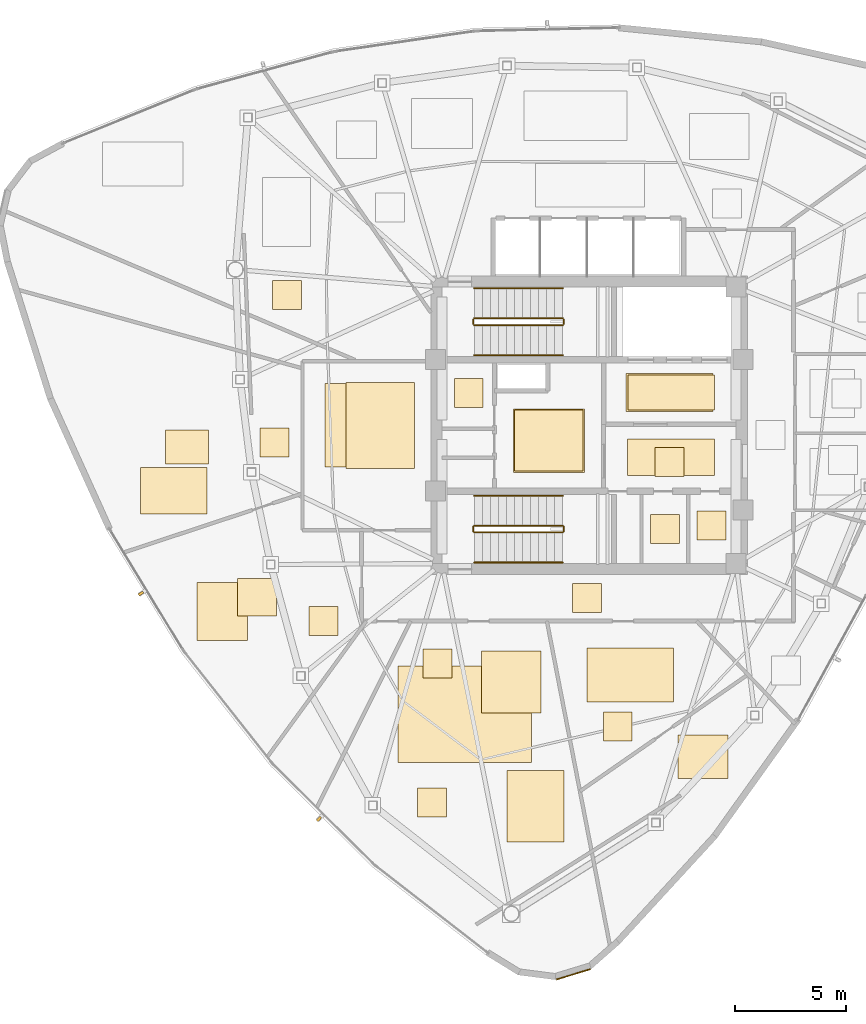
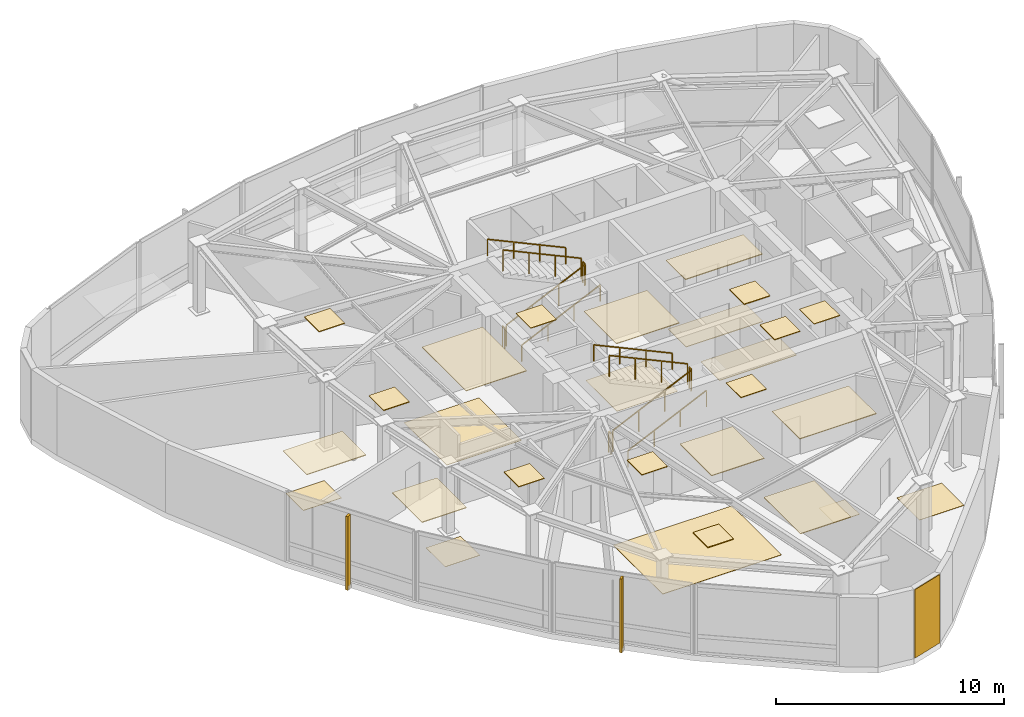
# One storey, part 11 of 12: 28 coverings, 12 railings, 2 shading devices.
"""IFC4 building model written with IfcOpenShell, lengths in metres."""

from ifc_helpers import new_model, si_unit, direction, frame, origin, origin_2d, place, context, subcontext, project, spatial, polyline, rectangle, outline, extrude, source, transform, mapped, material, layer, layer_set, type_object, type_shapes, element, save


model = new_model("IFC4")

# Units and contexts
model_context = context("Model", 3, precision=1e-05, world=origin(), true_north=direction((0.0, 1.0)))
body_context = subcontext(model_context, "Body", "Model", "MODEL_VIEW")
ifc_project = project(units=[si_unit("LENGTHUNIT", "METRE"), si_unit("AREAUNIT", "SQUARE_METRE"), si_unit("VOLUMEUNIT", "CUBIC_METRE"), si_unit("PLANEANGLEUNIT", "RADIAN"), si_unit("MASSUNIT", "GRAM", prefix="KILO")], contexts=[model_context])

# Site, building, storey
site_placement = place(None, origin())
site = spatial("IfcSite", under=ifc_project, at=site_placement, CompositionType="ELEMENT")
building_placement = place(site_placement, origin())
building = spatial("IfcBuilding", under=site, at=building_placement, Name="Tavelor Broadcast Tower", CompositionType="ELEMENT")
storey_placement = place(building_placement, frame((0.0, 0.0, 317.5)))
storey = spatial("IfcBuildingStorey", under=building, at=storey_placement, Name="L76", CompositionType="ELEMENT", Elevation=317.5)

# Coverings
ifc_material_1 = material(Name="Copper-Bronze Anodized Aluminium", Category="aluminium")
ifc_layer_1 = layer(ifc_material_1, 0.044921875)
ifc_layer_set_1 = layer_set([ifc_layer_1], Name="Copper-Bronze Anodized Aluminium")
covering_type_1 = type_object("IfcCoveringType", Name="Anodised Bronze Linear Slatted Concourse Ceiling 45 mm", PredefinedType="CEILING", material=ifc_layer_set_1)
covering_1_placement = place(storey_placement, frame((0.0, 0.0, 3.655029296875)))
element("IfcCovering", 1, at=covering_1_placement, inside=storey, type_object=covering_type_1, Name="L76 Suspended Acoustic Ceiling 2850", PredefinedType="CEILING", context=body_context, shape_type="SweptSolid", body=[
    extrude(outline(polyline([(51.659912109375, 45.6318359375), (55.55712890625, 45.6318359375), (55.55712890625, 47.328125), (51.659912109375, 47.328125), (51.659912109375, 45.6318359375)])), origin(), (0.0, 0.0, 1.0), 0.044921875),
])
covering_2_placement = place(storey_placement, frame((0.0, 0.0, 3.655029296875)))
element("IfcCovering", 2, at=covering_2_placement, inside=storey, type_object=covering_type_1, Name="L76 Suspended Acoustic Ceiling 2851", PredefinedType="CEILING", context=body_context, shape_type="SweptSolid", body=[
    extrude(outline(polyline([(52.95361328125, 42.705078125), (54.25341796875, 42.705078125), (54.25341796875, 44.0048828125), (52.95361328125, 44.0048828125), (52.95361328125, 42.705078125)])), origin(), (0.0, 0.0, 1.0), 0.044921875),
])
ifc_layer_2 = layer(ifc_material_1, 0.050048828125)
ifc_layer_set_2 = layer_set([ifc_layer_2], Name="Copper-Bronze Anodized Aluminium")
covering_type_2 = type_object("IfcCoveringType", Name="Champagne-Bronze Corner Pier Metal Cladding 50 mm", PredefinedType="CLADDING", material=ifc_layer_set_2)
covering_3_placement = place(storey_placement, frame((49.298583984375, 20.37451171875, 0.02001953125), z_axis=(0.0, 0.0, 1.0), x_axis=(0.956559534241, 0.29153706017, 0.0)))
element("IfcCovering", 3, at=covering_3_placement, inside=storey, type_object=covering_type_2, Name="L76 Champagne-Bronze Corner Cladding 13", PredefinedType="CLADDING", context=body_context, shape_type="SweptSolid", body=[
    extrude(rectangle(XDim=1.593505859375, YDim=0.050048828125, at=origin_2d()), origin(), (0.0, 0.0, 1.0), 3.659912109375),
])

# Railings
ifc_material_2 = material(Name="Steel S355", Category="steel")
railing_type_1 = type_object("IfcRailingType", Name="Continuous Brushed Stainless Handrail 900 mm", PredefinedType="HANDRAIL", material=ifc_material_2)
railing_1_placement = place(storey_placement, frame((44.85009765625, 48.14990234375, 0.166748046875)))
element("IfcRailing", 4, at=railing_1_placement, inside=storey, type_object=railing_type_1, Name="L76 ST1 stair handrail 1", PredefinedType="HANDRAIL", context=body_context, shape_type="SweptSolid", body=[
    extrude(rectangle(XDim=0.048095703125, YDim=0.048095703125, at=origin_2d()), frame((0.0, 0.0, 0.8759765625), z_axis=(0.907472437036, 0.0, 0.420111623286), x_axis=(0.0, 1.0, 0.0)), (0.0, 0.0, 1.0), 4.36376953125),
    extrude(rectangle(XDim=0.0419921875, YDim=0.0419921875, at=origin_2d()), origin(), (0.0, 0.0, 1.0), 0.851806640625),
    extrude(rectangle(XDim=0.0419921875, YDim=0.0419921875, at=origin_2d()), frame((1.320068359375, 0.0, 0.611083984375)), (0.0, 0.0, 1.0), 0.851806640625),
    extrude(rectangle(XDim=0.0419921875, YDim=0.0419921875, at=origin_2d()), frame((2.639892578125, 0.0, 1.22216796875)), (0.0, 0.0, 1.0), 0.851806640625),
    extrude(rectangle(XDim=0.0419921875, YDim=0.0419921875, at=origin_2d()), frame((3.9599609375, 0.0, 1.833251953125)), (0.0, 0.0, 1.0), 0.851806640625),
])
railing_2_placement = place(storey_placement, frame((48.81005859375, 51.14990234375, 2.166748046875)))
element("IfcRailing", 5, at=railing_2_placement, inside=storey, type_object=railing_type_1, Name="L76 ST1 stair handrail 2", PredefinedType="HANDRAIL", context=body_context, shape_type="SweptSolid", body=[
    extrude(rectangle(XDim=0.048095703125, YDim=0.048095703125, at=origin_2d()), frame((0.0, 0.0, 0.8759765625), z_axis=(-0.907472437036, 0.0, 0.420111623286), x_axis=(0.0, -1.0, 0.0)), (0.0, 0.0, 1.0), 4.36376953125),
    extrude(rectangle(XDim=0.0419921875, YDim=0.0419921875, at=origin_2d()), origin(), (0.0, 0.0, 1.0), 0.851806640625),
    extrude(rectangle(XDim=0.0419921875, YDim=0.0419921875, at=origin_2d()), frame((-1.320068359375, 0.0, 0.611083984375)), (0.0, 0.0, 1.0), 0.851806640625),
    extrude(rectangle(XDim=0.0419921875, YDim=0.0419921875, at=origin_2d()), frame((-2.639892578125, 0.0, 1.22216796875)), (0.0, 0.0, 1.0), 0.851806640625),
    extrude(rectangle(XDim=0.0419921875, YDim=0.0419921875, at=origin_2d()), frame((-3.9599609375, 0.0, 1.833251953125)), (0.0, 0.0, 1.0), 0.851806640625),
])
railing_3_placement = place(storey_placement, frame((44.85009765625, 38.85009765625, 0.166748046875)))
element("IfcRailing", 6, at=railing_3_placement, inside=storey, type_object=railing_type_1, Name="L76 ST2 stair handrail 1", PredefinedType="HANDRAIL", context=body_context, shape_type="SweptSolid", body=[
    extrude(rectangle(XDim=0.048095703125, YDim=0.048095703125, at=origin_2d()), frame((0.0, 0.0, 0.8759765625), z_axis=(0.907472437036, 0.0, 0.420111623286), x_axis=(0.0, 1.0, 0.0)), (0.0, 0.0, 1.0), 4.36376953125),
    extrude(rectangle(XDim=0.0419921875, YDim=0.0419921875, at=origin_2d()), origin(), (0.0, 0.0, 1.0), 0.851806640625),
    extrude(rectangle(XDim=0.0419921875, YDim=0.0419921875, at=origin_2d()), frame((1.320068359375, 0.0, 0.611083984375)), (0.0, 0.0, 1.0), 0.851806640625),
    extrude(rectangle(XDim=0.0419921875, YDim=0.0419921875, at=origin_2d()), frame((2.639892578125, 0.0, 1.22216796875)), (0.0, 0.0, 1.0), 0.851806640625),
    extrude(rectangle(XDim=0.0419921875, YDim=0.0419921875, at=origin_2d()), frame((3.9599609375, 0.0, 1.833251953125)), (0.0, 0.0, 1.0), 0.851806640625),
])
railing_4_placement = place(storey_placement, frame((48.81005859375, 41.85009765625, 2.166748046875)))
element("IfcRailing", 7, at=railing_4_placement, inside=storey, type_object=railing_type_1, Name="L76 ST2 stair handrail 2", PredefinedType="HANDRAIL", context=body_context, shape_type="SweptSolid", body=[
    extrude(rectangle(XDim=0.048095703125, YDim=0.048095703125, at=origin_2d()), frame((0.0, 0.0, 0.8759765625), z_axis=(-0.907472437036, 0.0, 0.420111623286), x_axis=(0.0, -1.0, 0.0)), (0.0, 0.0, 1.0), 4.36376953125),
    extrude(rectangle(XDim=0.0419921875, YDim=0.0419921875, at=origin_2d()), origin(), (0.0, 0.0, 1.0), 0.851806640625),
    extrude(rectangle(XDim=0.0419921875, YDim=0.0419921875, at=origin_2d()), frame((-1.320068359375, 0.0, 0.611083984375)), (0.0, 0.0, 1.0), 0.851806640625),
    extrude(rectangle(XDim=0.0419921875, YDim=0.0419921875, at=origin_2d()), frame((-2.639892578125, 0.0, 1.22216796875)), (0.0, 0.0, 1.0), 0.851806640625),
    extrude(rectangle(XDim=0.0419921875, YDim=0.0419921875, at=origin_2d()), frame((-3.9599609375, 0.0, 1.833251953125)), (0.0, 0.0, 1.0), 0.851806640625),
])

# Coverings
ifc_material_3 = material(Name="Architectural Anodized Aluminium", Category="aluminium")
ifc_layer_3 = layer(ifc_material_3, 0.034912109375)
ifc_layer_set_3 = layer_set([ifc_layer_3], Name="Architectural Anodized Aluminium")
covering_type_3 = type_object("IfcCoveringType", Name="Demountable Metal Tile Corridor Ceiling 35 mm", PredefinedType="CEILING", material=ifc_layer_set_3)
covering_4_placement = place(storey_placement, frame((0.0, 0.0, 3.6650390625)))
element("IfcCovering", 8, at=covering_4_placement, inside=storey, type_object=covering_type_3, Name="L76 Suspended Acoustic Ceiling 2857", PredefinedType="CEILING", context=body_context, shape_type="SweptSolid", body=[
    extrude(outline(polyline([(49.261474609375, 36.610107421875), (50.5615234375, 36.610107421875), (50.5615234375, 37.909912109375), (49.261474609375, 37.909912109375), (49.261474609375, 36.610107421875)])), origin(), (0.0, 0.0, 1.0), 0.034912109375),
])
ifc_material_4 = material(Name="Acoustic Nylon Carpet Tile")
ifc_layer_4 = layer(ifc_material_4, 0.02001953125)
ifc_layer_set_4 = layer_set([ifc_layer_4], Name="Acoustic Nylon Carpet Tile")
covering_type_4 = type_object("IfcCoveringType", Name="Heavy-Duty Acoustic Broadcast Carpet Tile 20 mm", PredefinedType="FLOORING", material=ifc_layer_set_4)
covering_5_placement = place(storey_placement, origin())
element("IfcCovering", 9, at=covering_5_placement, inside=storey, type_object=covering_type_4, Name="L76 Broadcast Floor Finish 1127", PredefinedType="FLOORING", context=body_context, shape_type="SweptSolid", body=[
    extrude(outline(polyline([(46.6591796875, 42.953369140625), (49.730712890625, 42.953369140625), (49.730712890625, 45.6865234375), (46.6591796875, 45.6865234375), (46.6591796875, 42.953369140625)])), origin(), (0.0, 0.0, 1.0), 0.02001953125),
])
covering_6_placement = place(storey_placement, origin())
element("IfcCovering", 10, at=covering_6_placement, inside=storey, type_object=covering_type_4, Name="L76 Broadcast Floor Finish 1129", PredefinedType="FLOORING", context=body_context, shape_type="SweptSolid", body=[
    extrude(outline(polyline([(38.15771484375, 43.12890625), (41.942138671875, 43.12890625), (41.942138671875, 46.87060546875), (38.15771484375, 46.87060546875), (38.15771484375, 43.12890625)])), origin(), (0.0, 0.0, 1.0), 0.02001953125),
])
covering_7_placement = place(storey_placement, origin())
element("IfcCovering", 11, at=covering_7_placement, inside=storey, type_object=covering_type_4, Name="L76 Broadcast Floor Finish 1134", PredefinedType="FLOORING", context=body_context, shape_type="SweptSolid", body=[
    extrude(outline(polyline([(53.978271484375, 29.14990234375), (56.22998046875, 29.14990234375), (56.22998046875, 31.11328125), (53.978271484375, 31.11328125), (53.978271484375, 29.14990234375)])), origin(), (0.0, 0.0, 1.0), 0.02001953125),
])
covering_8_placement = place(storey_placement, origin())
element("IfcCovering", 12, at=covering_8_placement, inside=storey, type_object=covering_type_4, Name="L76 Broadcast Floor Finish 1135", PredefinedType="FLOORING", context=body_context, shape_type="SweptSolid", body=[
    extrude(outline(polyline([(41.417236328125, 29.875732421875), (47.423583984375, 29.875732421875), (47.423583984375, 34.19580078125), (41.417236328125, 34.19580078125), (41.417236328125, 29.875732421875)])), origin(), (0.0, 0.0, 1.0), 0.02001953125),
])
covering_9_placement = place(storey_placement, origin())
element("IfcCovering", 13, at=covering_9_placement, inside=storey, type_object=covering_type_4, Name="L76 Broadcast Floor Finish 1136", PredefinedType="FLOORING", context=body_context, shape_type="SweptSolid", body=[
    extrude(outline(polyline([(34.218505859375, 36.43798828125), (35.969970703125, 36.43798828125), (35.969970703125, 38.122314453125), (34.218505859375, 38.122314453125), (34.218505859375, 36.43798828125)])), origin(), (0.0, 0.0, 1.0), 0.02001953125),
])
covering_10_placement = place(storey_placement, origin())
element("IfcCovering", 14, at=covering_10_placement, inside=storey, type_object=covering_type_4, Name="L76 Broadcast Floor Finish 1137", PredefinedType="FLOORING", context=body_context, shape_type="SweptSolid", body=[
    extrude(outline(polyline([(30.98828125, 43.26123046875), (32.918212890625, 43.26123046875), (32.918212890625, 44.783935546875), (30.98828125, 44.783935546875), (30.98828125, 43.26123046875)])), origin(), (0.0, 0.0, 1.0), 0.02001953125),
])
covering_11_placement = place(storey_placement, origin())
element("IfcCovering", 15, at=covering_11_placement, inside=storey, type_object=covering_type_4, Name="L76 Broadcast Floor Finish 1139", PredefinedType="FLOORING", context=body_context, shape_type="SweptSolid", body=[
    extrude(outline(polyline([(50.6357421875, 30.845947265625), (51.935791015625, 30.845947265625), (51.935791015625, 32.14599609375), (50.6357421875, 32.14599609375), (50.6357421875, 30.845947265625)])), origin(), (0.0, 0.0, 1.0), 0.02001953125),
])
ifc_material_5 = material(Name="Honed Natural Limestone Tile", Category="masonry")
ifc_layer_5 = layer(ifc_material_5, 0.030029296875)
ifc_layer_set_5 = layer_set([ifc_layer_5], Name="Honed Natural Limestone Tile")
covering_type_5 = type_object("IfcCoveringType", Name="Honed Jerusalem Limestone Concourse Flooring 30 mm", PredefinedType="FLOORING", material=ifc_layer_set_5)
covering_12_placement = place(storey_placement, origin())
element("IfcCovering", 16, at=covering_12_placement, inside=storey, type_object=covering_type_5, Name="L76 Broadcast Floor Finish 1125", PredefinedType="FLOORING", context=body_context, shape_type="SweptSolid", body=[
    extrude(outline(polyline([(51.7373046875, 45.689453125), (55.62255859375, 45.689453125), (55.62255859375, 47.2705078125), (51.7373046875, 47.2705078125), (51.7373046875, 45.689453125)])), origin(), (0.0, 0.0, 1.0), 0.030029296875),
])
covering_13_placement = place(storey_placement, origin())
element("IfcCovering", 17, at=covering_13_placement, inside=storey, type_object=covering_type_5, Name="L76 Broadcast Floor Finish 1126", PredefinedType="FLOORING", context=body_context, shape_type="SweptSolid", body=[
    extrude(outline(polyline([(51.728759765625, 42.743408203125), (55.62109375, 42.743408203125), (55.62109375, 44.396484375), (51.728759765625, 44.396484375), (51.728759765625, 42.743408203125)])), origin(), (0.0, 0.0, 1.0), 0.030029296875),
])
ifc_layer_6 = layer(ifc_material_3, 0.030029296875)
ifc_layer_set_6 = layer_set([ifc_layer_6], Name="Architectural Anodized Aluminium")
covering_type_6 = type_object("IfcCoveringType", Name="Moisture-Resistant Washroom Ceiling 30 mm", PredefinedType="CEILING", material=ifc_layer_set_6)
covering_14_placement = place(storey_placement, frame((0.0, 0.0, 3.669921875)))
element("IfcCovering", 18, at=covering_14_placement, inside=storey, type_object=covering_type_6, Name="L76 Suspended Acoustic Ceiling 2854", PredefinedType="CEILING", context=body_context, shape_type="SweptSolid", body=[
    extrude(outline(polyline([(54.843505859375, 39.866455078125), (56.1435546875, 39.866455078125), (56.1435546875, 41.16650390625), (54.843505859375, 41.16650390625), (54.843505859375, 39.866455078125)])), origin(), (0.0, 0.0, 1.0), 0.030029296875),
])
covering_15_placement = place(storey_placement, frame((0.0, 0.0, 3.669921875)))
element("IfcCovering", 19, at=covering_15_placement, inside=storey, type_object=covering_type_6, Name="L76 Suspended Acoustic Ceiling 2855", PredefinedType="CEILING", context=body_context, shape_type="SweptSolid", body=[
    extrude(outline(polyline([(43.951416015625, 45.794921875), (45.25146484375, 45.794921875), (45.25146484375, 47.094970703125), (43.951416015625, 47.094970703125), (43.951416015625, 45.794921875)])), origin(), (0.0, 0.0, 1.0), 0.030029296875),
])

# Railings
railing_type_2 = type_object("IfcRailingType", Name="Stairwell Steel Safety Guardrail 1150 mm", PredefinedType="GUARDRAIL", material=ifc_material_2)
railing_5_placement = place(storey_placement, frame((44.85009765625, 49.5, 0.166748046875)))
element("IfcRailing", 20, at=railing_5_placement, inside=storey, type_object=railing_type_2, Name="L76 ST1 stair guard 1", PredefinedType="GUARDRAIL", context=body_context, shape_type="SweptSolid", body=[
    extrude(rectangle(XDim=0.048095703125, YDim=0.048095703125, at=origin_2d()), frame((0.0, 0.0, 1.1259765625), z_axis=(0.907472437036, 0.0, 0.420111623286), x_axis=(0.0, 1.0, 0.0)), (0.0, 0.0, 1.0), 4.36376953125),
    extrude(rectangle(XDim=0.0419921875, YDim=0.0419921875, at=origin_2d()), origin(), (0.0, 0.0, 1.0), 1.101806640625),
    extrude(rectangle(XDim=0.0419921875, YDim=0.0419921875, at=origin_2d()), frame((1.320068359375, 0.0, 0.611083984375)), (0.0, 0.0, 1.0), 1.101806640625),
    extrude(rectangle(XDim=0.0419921875, YDim=0.0419921875, at=origin_2d()), frame((2.639892578125, 0.0, 1.22216796875)), (0.0, 0.0, 1.0), 1.101806640625),
    extrude(rectangle(XDim=0.0419921875, YDim=0.0419921875, at=origin_2d()), frame((3.9599609375, 0.0, 1.833251953125)), (0.0, 0.0, 1.0), 1.101806640625),
])
railing_6_placement = place(storey_placement, frame((48.860107421875, 49.550048828125, 2.0)))
element("IfcRailing", 21, at=railing_6_placement, inside=storey, type_object=railing_type_2, Name="L76 ST1 stair guard 2", PredefinedType="GUARDRAIL", context=body_context, shape_type="SweptSolid", body=[
    extrude(rectangle(XDim=0.048095703125, YDim=0.048095703125, at=origin_2d()), frame((0.0, 0.0, 1.1259765625), z_axis=(0.0, 1.0, 0.0), x_axis=(-1.0, 0.0, 0.0)), (0.0, 0.0, 1.0), 0.199951171875),
    extrude(rectangle(XDim=0.0419921875, YDim=0.0419921875, at=origin_2d()), origin(), (0.0, 0.0, 1.0), 1.101806640625),
    extrude(rectangle(XDim=0.0419921875, YDim=0.0419921875, at=origin_2d()), frame((0.0, 0.199951171875, 0.0)), (0.0, 0.0, 1.0), 1.101806640625),
])
railing_7_placement = place(storey_placement, frame((48.81005859375, 49.800048828125, 2.166748046875)))
element("IfcRailing", 22, at=railing_7_placement, inside=storey, type_object=railing_type_2, Name="L76 ST1 stair guard 3", PredefinedType="GUARDRAIL", context=body_context, shape_type="SweptSolid", body=[
    extrude(rectangle(XDim=0.048095703125, YDim=0.048095703125, at=origin_2d()), frame((0.0, 0.0, 1.1259765625), z_axis=(-0.907472437036, 0.0, 0.420111623286), x_axis=(0.0, -1.0, 0.0)), (0.0, 0.0, 1.0), 4.36376953125),
    extrude(rectangle(XDim=0.0419921875, YDim=0.0419921875, at=origin_2d()), origin(), (0.0, 0.0, 1.0), 1.101806640625),
    extrude(rectangle(XDim=0.0419921875, YDim=0.0419921875, at=origin_2d()), frame((-1.320068359375, 0.0, 0.611083984375)), (0.0, 0.0, 1.0), 1.101806640625),
    extrude(rectangle(XDim=0.0419921875, YDim=0.0419921875, at=origin_2d()), frame((-2.639892578125, 0.0, 1.22216796875)), (0.0, 0.0, 1.0), 1.101806640625),
    extrude(rectangle(XDim=0.0419921875, YDim=0.0419921875, at=origin_2d()), frame((-3.9599609375, 0.0, 1.833251953125)), (0.0, 0.0, 1.0), 1.101806640625),
])
railing_8_placement = place(storey_placement, frame((44.800048828125, 49.550048828125, 0.0)))
element("IfcRailing", 23, at=railing_8_placement, inside=storey, type_object=railing_type_2, Name="L76 ST1 stair guard 4", PredefinedType="GUARDRAIL", context=body_context, shape_type="SweptSolid", body=[
    extrude(rectangle(XDim=0.048095703125, YDim=0.048095703125, at=origin_2d()), frame((0.0, 0.0, 1.1259765625), z_axis=(0.0, 1.0, 0.0), x_axis=(-1.0, 0.0, 0.0)), (0.0, 0.0, 1.0), 0.199951171875),
    extrude(rectangle(XDim=0.0419921875, YDim=0.0419921875, at=origin_2d()), origin(), (0.0, 0.0, 1.0), 1.101806640625),
    extrude(rectangle(XDim=0.0419921875, YDim=0.0419921875, at=origin_2d()), frame((0.0, 0.199951171875, 0.0)), (0.0, 0.0, 1.0), 1.101806640625),
])
railing_9_placement = place(storey_placement, frame((44.85009765625, 40.199951171875, 0.166748046875)))
element("IfcRailing", 24, at=railing_9_placement, inside=storey, type_object=railing_type_2, Name="L76 ST2 stair guard 1", PredefinedType="GUARDRAIL", context=body_context, shape_type="SweptSolid", body=[
    extrude(rectangle(XDim=0.048095703125, YDim=0.048095703125, at=origin_2d()), frame((0.0, 0.0, 1.1259765625), z_axis=(0.907472437036, 0.0, 0.420111623286), x_axis=(0.0, 1.0, 0.0)), (0.0, 0.0, 1.0), 4.36376953125),
    extrude(rectangle(XDim=0.0419921875, YDim=0.0419921875, at=origin_2d()), origin(), (0.0, 0.0, 1.0), 1.101806640625),
    extrude(rectangle(XDim=0.0419921875, YDim=0.0419921875, at=origin_2d()), frame((1.320068359375, 0.0, 0.611083984375)), (0.0, 0.0, 1.0), 1.101806640625),
    extrude(rectangle(XDim=0.0419921875, YDim=0.0419921875, at=origin_2d()), frame((2.639892578125, 0.0, 1.22216796875)), (0.0, 0.0, 1.0), 1.101806640625),
    extrude(rectangle(XDim=0.0419921875, YDim=0.0419921875, at=origin_2d()), frame((3.9599609375, 0.0, 1.833251953125)), (0.0, 0.0, 1.0), 1.101806640625),
])
railing_10_placement = place(storey_placement, frame((48.860107421875, 40.25, 2.0)))
element("IfcRailing", 25, at=railing_10_placement, inside=storey, type_object=railing_type_2, Name="L76 ST2 stair guard 2", PredefinedType="GUARDRAIL", context=body_context, shape_type="SweptSolid", body=[
    extrude(rectangle(XDim=0.048095703125, YDim=0.048095703125, at=origin_2d()), frame((0.0, 0.0, 1.1259765625), z_axis=(0.0, 1.0, 0.0), x_axis=(-1.0, 0.0, 0.0)), (0.0, 0.0, 1.0), 0.199951171875),
    extrude(rectangle(XDim=0.0419921875, YDim=0.0419921875, at=origin_2d()), origin(), (0.0, 0.0, 1.0), 1.101806640625),
    extrude(rectangle(XDim=0.0419921875, YDim=0.0419921875, at=origin_2d()), frame((0.0, 0.199951171875, 0.0)), (0.0, 0.0, 1.0), 1.101806640625),
])
railing_11_placement = place(storey_placement, frame((48.81005859375, 40.5, 2.166748046875)))
element("IfcRailing", 26, at=railing_11_placement, inside=storey, type_object=railing_type_2, Name="L76 ST2 stair guard 3", PredefinedType="GUARDRAIL", context=body_context, shape_type="SweptSolid", body=[
    extrude(rectangle(XDim=0.048095703125, YDim=0.048095703125, at=origin_2d()), frame((0.0, 0.0, 1.1259765625), z_axis=(-0.907472437036, 0.0, 0.420111623286), x_axis=(0.0, -1.0, 0.0)), (0.0, 0.0, 1.0), 4.36376953125),
    extrude(rectangle(XDim=0.0419921875, YDim=0.0419921875, at=origin_2d()), origin(), (0.0, 0.0, 1.0), 1.101806640625),
    extrude(rectangle(XDim=0.0419921875, YDim=0.0419921875, at=origin_2d()), frame((-1.320068359375, 0.0, 0.611083984375)), (0.0, 0.0, 1.0), 1.101806640625),
    extrude(rectangle(XDim=0.0419921875, YDim=0.0419921875, at=origin_2d()), frame((-2.639892578125, 0.0, 1.22216796875)), (0.0, 0.0, 1.0), 1.101806640625),
    extrude(rectangle(XDim=0.0419921875, YDim=0.0419921875, at=origin_2d()), frame((-3.9599609375, 0.0, 1.833251953125)), (0.0, 0.0, 1.0), 1.101806640625),
])
railing_12_placement = place(storey_placement, frame((44.800048828125, 40.25, 0.0)))
element("IfcRailing", 27, at=railing_12_placement, inside=storey, type_object=railing_type_2, Name="L76 ST2 stair guard 4", PredefinedType="GUARDRAIL", context=body_context, shape_type="SweptSolid", body=[
    extrude(rectangle(XDim=0.048095703125, YDim=0.048095703125, at=origin_2d()), frame((0.0, 0.0, 1.1259765625), z_axis=(0.0, 1.0, 0.0), x_axis=(-1.0, 0.0, 0.0)), (0.0, 0.0, 1.0), 0.199951171875),
    extrude(rectangle(XDim=0.0419921875, YDim=0.0419921875, at=origin_2d()), origin(), (0.0, 0.0, 1.0), 1.101806640625),
    extrude(rectangle(XDim=0.0419921875, YDim=0.0419921875, at=origin_2d()), frame((0.0, 0.199951171875, 0.0)), (0.0, 0.0, 1.0), 1.101806640625),
])

# Coverings
ifc_material_6 = material(Name="Acoustic Mineral Fibre Tile")
ifc_layer_7 = layer(ifc_material_6, 0.0400390625)
ifc_layer_set_7 = layer_set([ifc_layer_7], Name="Acoustic Mineral Fibre Tile")
covering_type_7 = type_object("IfcCoveringType", Name="Suspended Acoustic Mineral-Fibre Office Ceiling 40 mm", PredefinedType="CEILING", material=ifc_layer_set_7)
covering_16_placement = place(storey_placement, frame((0.0, 0.0, 3.659912109375)))
element("IfcCovering", 28, at=covering_16_placement, inside=storey, type_object=covering_type_7, Name="L76 Suspended Acoustic Ceiling 2852", PredefinedType="CEILING", context=body_context, shape_type="SweptSolid", body=[
    extrude(outline(polyline([(46.6015625, 42.895751953125), (49.788330078125, 42.895751953125), (49.788330078125, 45.744140625), (46.6015625, 45.744140625), (46.6015625, 42.895751953125)])), origin(), (0.0, 0.0, 1.0), 0.0400390625),
])
covering_17_placement = place(storey_placement, frame((0.0, 0.0, 3.659912109375)))
element("IfcCovering", 29, at=covering_17_placement, inside=storey, type_object=covering_type_7, Name="L76 Suspended Acoustic Ceiling 2853", PredefinedType="CEILING", context=body_context, shape_type="SweptSolid", body=[
    extrude(outline(polyline([(52.75, 39.699951171875), (54.050048828125, 39.699951171875), (54.050048828125, 41.0), (52.75, 41.0), (52.75, 39.699951171875)])), origin(), (0.0, 0.0, 1.0), 0.0400390625),
])
covering_18_placement = place(storey_placement, frame((0.0, 0.0, 3.659912109375)))
element("IfcCovering", 30, at=covering_18_placement, inside=storey, type_object=covering_type_7, Name="L76 Suspended Acoustic Ceiling 2858", PredefinedType="CEILING", context=body_context, shape_type="SweptSolid", body=[
    extrude(outline(polyline([(39.10107421875, 43.0712890625), (42.16259765625, 43.0712890625), (42.16259765625, 46.927978515625), (39.10107421875, 46.927978515625), (39.10107421875, 43.0712890625)])), origin(), (0.0, 0.0, 1.0), 0.0400390625),
])
covering_19_placement = place(storey_placement, frame((0.0, 0.0, 3.659912109375)))
element("IfcCovering", 31, at=covering_19_placement, inside=storey, type_object=covering_type_7, Name="L76 Suspended Acoustic Ceiling 2863", PredefinedType="CEILING", context=body_context, shape_type="SweptSolid", body=[
    extrude(outline(polyline([(42.554443359375, 33.66650390625), (43.8544921875, 33.66650390625), (43.8544921875, 34.966552734375), (42.554443359375, 34.966552734375), (42.554443359375, 33.66650390625)])), origin(), (0.0, 0.0, 1.0), 0.0400390625),
])
covering_20_placement = place(storey_placement, frame((0.0, 0.0, 3.659912109375)))
element("IfcCovering", 32, at=covering_20_placement, inside=storey, type_object=covering_type_7, Name="L76 Suspended Acoustic Ceiling 2864", PredefinedType="CEILING", context=body_context, shape_type="SweptSolid", body=[
    extrude(outline(polyline([(45.173583984375, 32.08837890625), (47.835693359375, 32.08837890625), (47.835693359375, 34.877197265625), (45.173583984375, 34.877197265625), (45.173583984375, 32.08837890625)])), origin(), (0.0, 0.0, 1.0), 0.0400390625),
])
covering_21_placement = place(storey_placement, frame((0.0, 0.0, 3.659912109375)))
element("IfcCovering", 33, at=covering_21_placement, inside=storey, type_object=covering_type_7, Name="L76 Suspended Acoustic Ceiling 2865", PredefinedType="CEILING", context=body_context, shape_type="SweptSolid", body=[
    extrude(outline(polyline([(46.32470703125, 26.308349609375), (48.87158203125, 26.308349609375), (48.87158203125, 29.51611328125), (46.32470703125, 29.51611328125), (46.32470703125, 26.308349609375)])), origin(), (0.0, 0.0, 1.0), 0.0400390625),
])
covering_22_placement = place(storey_placement, frame((0.0, 0.0, 3.659912109375)))
element("IfcCovering", 34, at=covering_22_placement, inside=storey, type_object=covering_type_7, Name="L76 Suspended Acoustic Ceiling 2866", PredefinedType="CEILING", context=body_context, shape_type="SweptSolid", body=[
    extrude(outline(polyline([(42.2939453125, 27.43359375), (43.593994140625, 27.43359375), (43.593994140625, 28.7333984375), (42.2939453125, 28.7333984375), (42.2939453125, 27.43359375)])), origin(), (0.0, 0.0, 1.0), 0.0400390625),
])
covering_23_placement = place(storey_placement, frame((0.0, 0.0, 3.659912109375)))
element("IfcCovering", 35, at=covering_23_placement, inside=storey, type_object=covering_type_7, Name="L76 Suspended Acoustic Ceiling 2867", PredefinedType="CEILING", context=body_context, shape_type="SweptSolid", body=[
    extrude(outline(polyline([(32.414794921875, 35.34619140625), (34.669677734375, 35.34619140625), (34.669677734375, 37.955810546875), (32.414794921875, 37.955810546875), (32.414794921875, 35.34619140625)])), origin(), (0.0, 0.0, 1.0), 0.0400390625),
])
covering_24_placement = place(storey_placement, frame((0.0, 0.0, 3.659912109375)))
element("IfcCovering", 36, at=covering_24_placement, inside=storey, type_object=covering_type_7, Name="L76 Suspended Acoustic Ceiling 2868", PredefinedType="CEILING", context=body_context, shape_type="SweptSolid", body=[
    extrude(outline(polyline([(37.435546875, 35.577392578125), (38.735595703125, 35.577392578125), (38.735595703125, 36.877197265625), (37.435546875, 36.877197265625), (37.435546875, 35.577392578125)])), origin(), (0.0, 0.0, 1.0), 0.0400390625),
])
covering_25_placement = place(storey_placement, frame((0.0, 0.0, 3.659912109375)))
element("IfcCovering", 37, at=covering_25_placement, inside=storey, type_object=covering_type_7, Name="L76 Suspended Acoustic Ceiling 2869", PredefinedType="CEILING", context=body_context, shape_type="SweptSolid", body=[
    extrude(outline(polyline([(35.22998046875, 43.5810546875), (36.52978515625, 43.5810546875), (36.52978515625, 44.881103515625), (35.22998046875, 44.881103515625), (35.22998046875, 43.5810546875)])), origin(), (0.0, 0.0, 1.0), 0.0400390625),
])
covering_26_placement = place(storey_placement, frame((0.0, 0.0, 3.659912109375)))
element("IfcCovering", 38, at=covering_26_placement, inside=storey, type_object=covering_type_7, Name="L76 Suspended Acoustic Ceiling 2870", PredefinedType="CEILING", context=body_context, shape_type="SweptSolid", body=[
    extrude(outline(polyline([(29.8701171875, 41.02001953125), (32.8681640625, 41.02001953125), (32.8681640625, 43.117919921875), (29.8701171875, 43.117919921875), (29.8701171875, 41.02001953125)])), origin(), (0.0, 0.0, 1.0), 0.0400390625),
])
covering_27_placement = place(storey_placement, frame((0.0, 0.0, 3.659912109375)))
element("IfcCovering", 39, at=covering_27_placement, inside=storey, type_object=covering_type_7, Name="L76 Suspended Acoustic Ceiling 2872", PredefinedType="CEILING", context=body_context, shape_type="SweptSolid", body=[
    extrude(outline(polyline([(35.78955078125, 50.19775390625), (37.089599609375, 50.19775390625), (37.089599609375, 51.497802734375), (35.78955078125, 51.497802734375), (35.78955078125, 50.19775390625)])), origin(), (0.0, 0.0, 1.0), 0.0400390625),
])
covering_28_placement = place(storey_placement, frame((0.0, 0.0, 3.659912109375)))
element("IfcCovering", 40, at=covering_28_placement, inside=storey, type_object=covering_type_7, Name="L76 Suspended Acoustic Ceiling 2880", PredefinedType="CEILING", context=body_context, shape_type="SweptSolid", body=[
    extrude(outline(polyline([(49.9169921875, 32.59130859375), (53.7880859375, 32.59130859375), (53.7880859375, 35.019287109375), (49.9169921875, 35.019287109375), (49.9169921875, 32.59130859375)])), origin(), (0.0, 0.0, 1.0), 0.0400390625),
])

# Shading devices
ifc_material_7 = material(Name="Kiln-Fired Glazed Terracotta", Category="masonry")
shading_device_type = type_object("IfcShadingDeviceType", Name="Extruded Terracotta Baguette Sun-Screen 110x240", PredefinedType="JALOUSIE", material=ifc_material_7)
shared_shape = source(origin(), body_context, "Body", "SweptSolid", [
    extrude(rectangle(XDim=0.110107421875, YDim=0.239990234375, at=origin_2d()), origin(), (0.0, 0.0, 1.0), 3.93994140625),
])
type_shapes(shading_device_type, [shared_shape])
for number, where, z_axis, x_axis, name in (
    (41, (29.893310546875, 37.45751953125, -0.260009765625), (0.0, 0.0, 1.0), (0.519817342621, -0.854277431699, 0.0), "L76 Terracotta Baguette Fin 727"),
    (42, (37.874267578125, 27.3427734375, -0.260009765625), (0.0, 0.0, 1.0), (0.709939584863, -0.704262583022, 0.0), "L76 Terracotta Baguette Fin 728"),
):
    element("IfcShadingDevice", number, at=place(storey_placement, frame(where, z_axis=z_axis, x_axis=x_axis)), inside=storey, type_object=shading_device_type, Name=name, PredefinedType="JALOUSIE", context=body_context, shape_type="MappedRepresentation", body=[
        mapped(shared_shape, transform((0.0, 0.0, 0.0), scale=1.0)),
    ])

save(model, "model.ifc")
